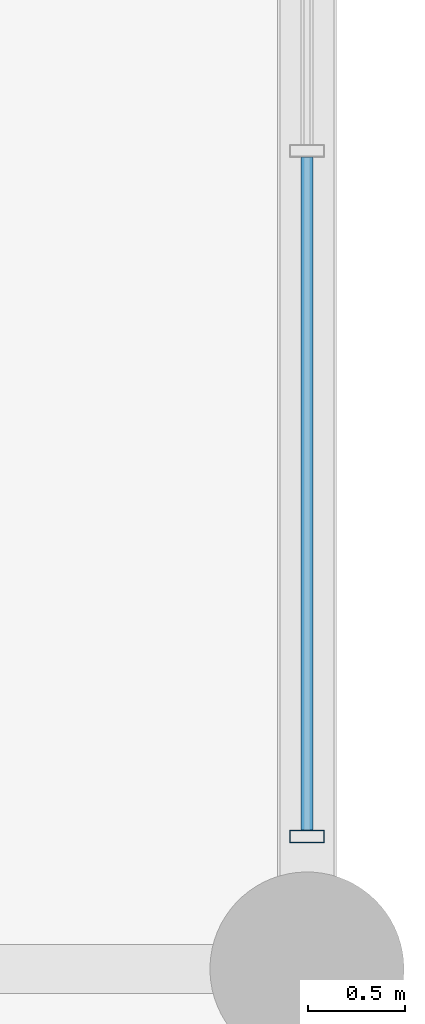
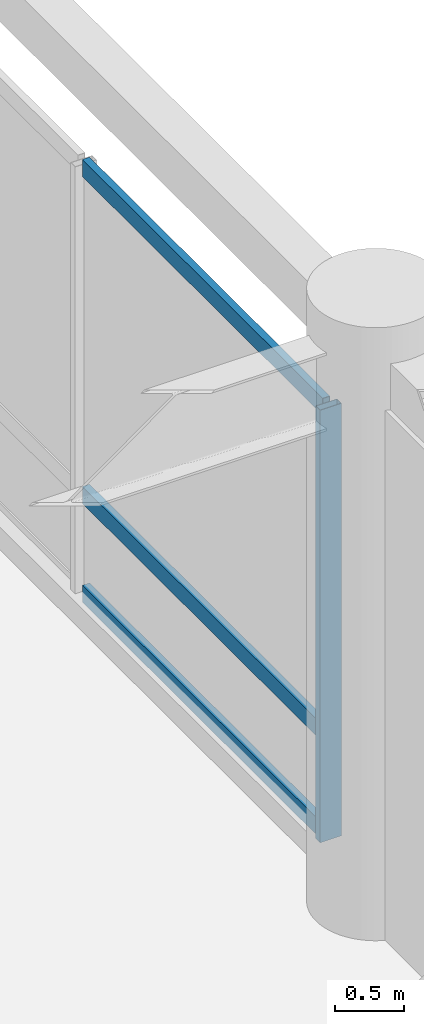
# One storey, part 64 of 100: 4 members, 1 element without a shape of its own.
"""IFC4 building model written with IfcOpenShell, lengths in metres."""

from ifc_helpers import new_model, si_unit, direction, frame, origin, origin_2d, place, context, subcontext, project, spatial, hollow_rectangle, extrude, material, material_profile, profile_set, type_object, element, aggregate, save


model = new_model("IFC4")

# Units and contexts
model_context = context("Model", 3, precision=1e-05, world=origin(), true_north=direction((0.0, 1.0)))
body_context = subcontext(model_context, "Body", "Model", "MODEL_VIEW")
ifc_project = project(units=[si_unit("LENGTHUNIT", "METRE"), si_unit("AREAUNIT", "SQUARE_METRE"), si_unit("VOLUMEUNIT", "CUBIC_METRE"), si_unit("PLANEANGLEUNIT", "RADIAN"), si_unit("MASSUNIT", "GRAM", prefix="KILO")], contexts=[model_context])

# Site, building, storey
site_placement = place(None, origin())
site = spatial("IfcSite", under=ifc_project, at=site_placement, CompositionType="ELEMENT")
building_placement = place(site_placement, origin())
building = spatial("IfcBuilding", under=site, at=building_placement, Name="Kaldorvane Square Convention Centre", CompositionType="ELEMENT")
storey_placement = place(building_placement, frame((0.0, 0.0, 18.0)))
storey = spatial("IfcBuildingStorey", under=building, at=storey_placement, Name="L03", CompositionType="ELEMENT", Elevation=18.0)

# Curtain wall, members
ifc_material = material(Name="Anodized Aluminum and Low-E Insulated Glazing", Category="aluminium")
curtain_wall_type = type_object("IfcCurtainWallType", Name="CW-UNI-P54-09", PredefinedType="USERDEFINED", material=ifc_material)
curtain_wall_placement = place(storey_placement, origin())
curtain_wall = element("IfcCurtainWall", 1, at=curtain_wall_placement, inside=storey, type_object=curtain_wall_type, Name="Curtain Wall CW-04 (L03)", ObjectType="UNITISED GLAZING", PredefinedType="USERDEFINED")
ifc_material_profile_1 = material_profile(ifc_material, hollow_rectangle(XDim=0.06500244140625, YDim=0.17999267578125, WallThickness=0.0034942626953125, at=origin_2d()), Name="CWM-180X65")
ifc_profile_set_1 = profile_set([ifc_material_profile_1], Name="Anodized Aluminum and Low-E Insulated Glazing")
member_type_1 = type_object("IfcMemberType", Name="CW-MUL-180", PredefinedType="MULLION", material=ifc_profile_set_1)
member_1_placement = place(storey_placement, frame((174.0, 84.6824951171875, 0.149993896484375), z_axis=(0.0, 0.0, 1.0), x_axis=(0.0, 1.0, 0.0)))
member_1 = element("IfcMember", 2, at=member_1_placement, type_object=member_type_1, Name="CW-04 mullion 1", PredefinedType="MULLION", context=body_context, shape_type="SweptSolid", body=[
    extrude(hollow_rectangle(XDim=0.06500244140625, YDim=0.17999267578125, WallThickness=0.0034942626953125, at=origin_2d()), origin(), (0.0, 0.0, 1.0), 3.8100128173828125),
])
ifc_material_profile_2 = material_profile(ifc_material, hollow_rectangle(XDim=0.05999755859375, YDim=0.149993896484375, WallThickness=0.003204345703125, at=origin_2d()), Name="CWT-150X60")
ifc_profile_set_2 = profile_set([ifc_material_profile_2], Name="Anodized Aluminum and Low-E Insulated Glazing")
member_type_2 = type_object("IfcMemberType", Name="CW-TRN-150", PredefinedType="USERDEFINED", material=ifc_profile_set_2)
member_2_placement = place(storey_placement, frame((174.0, 84.71499633789062, 0.17999267578125), z_axis=(0.0, 1.0, 0.0), x_axis=(-1.0, 0.0, 0.0)))
member_2 = element("IfcMember", 3, at=member_2_placement, type_object=member_type_2, Name="CW-04 transom 1.1", ObjectType="TRANSOM", PredefinedType="USERDEFINED", context=body_context, shape_type="SweptSolid", body=[
    extrude(hollow_rectangle(XDim=0.05999755859375, YDim=0.149993896484375, WallThickness=0.003204345703125, at=origin_2d()), origin(), (0.0, 0.0, 1.0), 3.46917724609375),
])
member_3_placement = place(storey_placement, frame((174.0, 84.71499633789062, 1.0500030517578125), z_axis=(0.0, 1.0, 0.0), x_axis=(-1.0, 0.0, 0.0)))
member_3 = element("IfcMember", 4, at=member_3_placement, type_object=member_type_2, Name="CW-04 transom 1.2", ObjectType="TRANSOM", PredefinedType="USERDEFINED", context=body_context, shape_type="SweptSolid", body=[
    extrude(hollow_rectangle(XDim=0.05999755859375, YDim=0.149993896484375, WallThickness=0.003204345703125, at=origin_2d()), origin(), (0.0, 0.0, 1.0), 3.46917724609375),
])
member_4_placement = place(storey_placement, frame((174.0, 84.71499633789062, 3.92999267578125), z_axis=(0.0, 1.0, 0.0), x_axis=(-1.0, 0.0, 0.0)))
member_4 = element("IfcMember", 5, at=member_4_placement, type_object=member_type_2, Name="CW-04 transom 1.3", ObjectType="TRANSOM", PredefinedType="USERDEFINED", context=body_context, shape_type="SweptSolid", body=[
    extrude(hollow_rectangle(XDim=0.05999755859375, YDim=0.149993896484375, WallThickness=0.003204345703125, at=origin_2d()), origin(), (0.0, 0.0, 1.0), 3.46917724609375),
])
aggregate(curtain_wall, [member_1, member_2, member_3, member_4])

save(model, "model.ifc")
